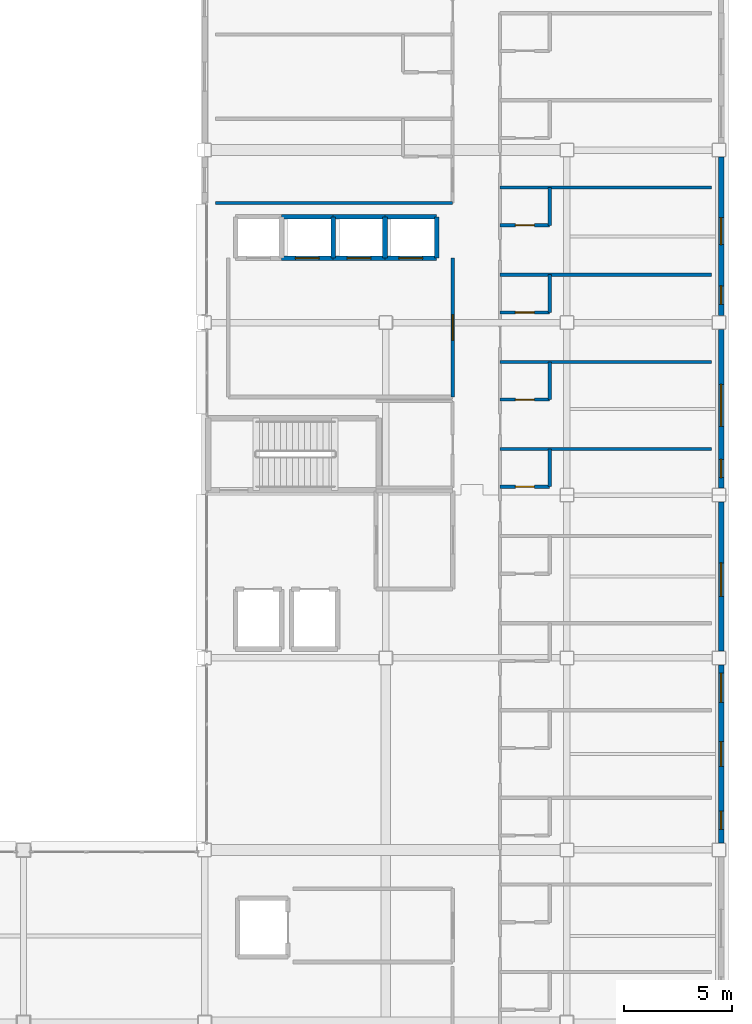
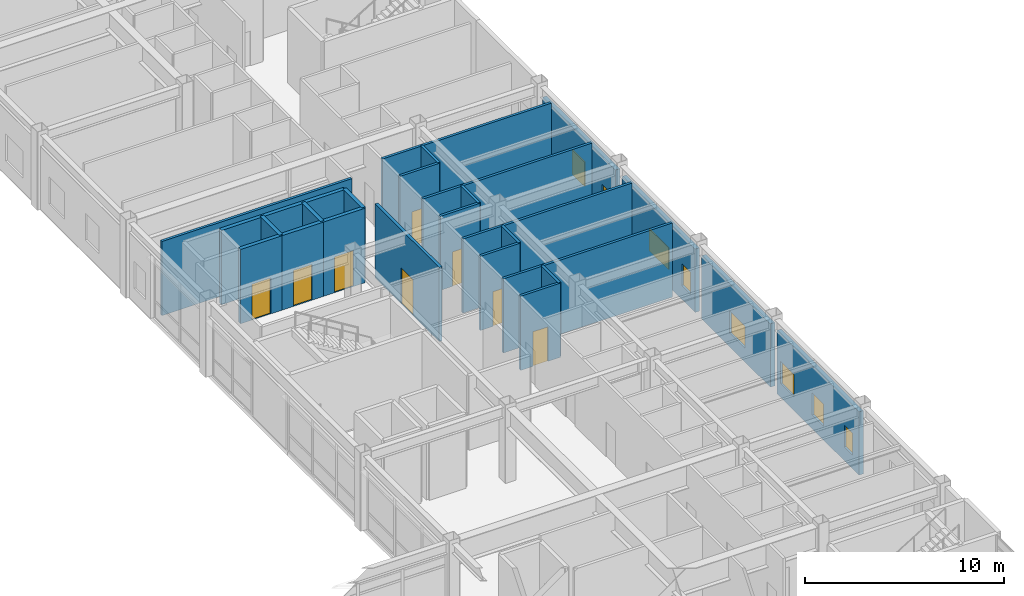
# One storey, part 78 of 93: 27 walls, 8 doors, 8 windows, 16 openings.
"""IFC4 building model written with IfcOpenShell, lengths in metres."""

from ifc_helpers import new_model, si_unit, direction, frame, frame_2d, origin, place, context, subcontext, project, spatial, rectangle, extrude, material, layer, layer_set, type_object, element, fill, save


model = new_model("IFC4")

# Units and contexts
model_context = context("Model", 3, precision=1e-05, world=origin(), true_north=direction((0.0, 1.0)))
body_context = subcontext(model_context, "Body", "Model", "MODEL_VIEW")
ifc_project = project(units=[si_unit("LENGTHUNIT", "METRE"), si_unit("AREAUNIT", "SQUARE_METRE"), si_unit("VOLUMEUNIT", "CUBIC_METRE"), si_unit("PLANEANGLEUNIT", "RADIAN"), si_unit("MASSUNIT", "GRAM", prefix="KILO")], contexts=[model_context])

# Site, building, storey
site_placement = place(None, origin())
site = spatial("IfcSite", under=ifc_project, at=site_placement, CompositionType="ELEMENT")
building_placement = place(site_placement, origin())
building = spatial("IfcBuilding", under=site, at=building_placement, Name="Kazehara Bluff Congress Hotel", CompositionType="ELEMENT")
storey_placement = place(building_placement, frame((0.0, 0.0, 15.0)))
storey = spatial("IfcBuildingStorey", under=building, at=storey_placement, Name="L03", CompositionType="ELEMENT", Elevation=15.0)

# Wall, openings, windows
ifc_material_1 = material(Name="Precast concrete C40/50", Category="concrete")
ifc_layer_1 = layer(ifc_material_1, 0.260009765625)
ifc_layer_set_1 = layer_set([ifc_layer_1], Name="Precast concrete C40/50")
wall_type_1 = type_object("IfcWallType", Name="TP-EW-260", PredefinedType="SOLIDWALL", material=ifc_layer_set_1)
wall_1_placement = place(storey_placement, frame((167.64990234375, 40.574951171875, 0.0), z_axis=(0.0, 0.0, 1.0), x_axis=(0.0, -1.0, 0.0)))
wall_1 = element("IfcWall", 1, at=wall_1_placement, inside=storey, type_object=wall_type_1, Name="L03 hotel facade panel 9", PredefinedType="SOLIDWALL", context=body_context, shape_type="SweptSolid", body=[
    extrude(rectangle(XDim=8.25, YDim=0.260009765625, at=frame_2d((4.125, 0.0))), origin(), (0.0, 0.0, 1.0), 3.885009765625),
])
opening_1_placement = place(wall_1_placement, frame((6.77490234375, 0.0, 0.85009765625)))
opening_1 = element("IfcOpeningElement", 2, at=opening_1_placement, cuts=wall_1, Name="Opening WN-55", PredefinedType="OPENING", context=body_context, shape_type="SweptSolid", body=[
    extrude(rectangle(XDim=0.85009765625, YDim=1.35009765625, at=frame_2d((0.425048828125, 0.675048828125))), frame((0.0, 0.139892578125, 0.0), z_axis=(0.0, -1.0, 0.0), x_axis=(1.0, 0.0, 0.0)), (0.0, 0.0, 1.0), 0.280029296875),
])
opening_2_placement = place(wall_1_placement, frame((3.554931640625, 0.0, 0.85009765625)))
opening_2 = element("IfcOpeningElement", 3, at=opening_2_placement, cuts=wall_1, Name="Opening WN-01", PredefinedType="OPENING", context=body_context, shape_type="SweptSolid", body=[
    extrude(rectangle(XDim=1.14990234375, YDim=1.35009765625, at=frame_2d((0.574951171875, 0.675048828125))), frame((0.0, 0.139892578125, 0.0), z_axis=(0.0, -1.0, 0.0), x_axis=(1.0, 0.0, 0.0)), (0.0, 0.0, 1.0), 0.280029296875),
])
opening_3_placement = place(wall_1_placement, frame((0.3798828125, 0.0, 0.85009765625)))
opening_3 = element("IfcOpeningElement", 4, at=opening_3_placement, cuts=wall_1, Name="Opening WN-11", PredefinedType="OPENING", context=body_context, shape_type="SweptSolid", body=[
    extrude(rectangle(XDim=1.35009765625, YDim=1.35009765625, at=frame_2d((0.675048828125, 0.675048828125))), frame((0.0, 0.139892578125, 0.0), z_axis=(0.0, -1.0, 0.0), x_axis=(1.0, 0.0, 0.0)), (0.0, 0.0, 1.0), 0.280029296875),
])
ifc_material_2 = material(Name="Insulated low-E double glazing", Category="glass")
window_type_1 = type_object("IfcWindowType", Name="TP-WN-01", PartitioningType="SINGLE_PANEL", PredefinedType="WINDOW", material=ifc_material_2)
window_1_placement = place(opening_2_placement, origin())
window_1 = element("IfcWindow", 5, at=window_1_placement, inside=storey, type_object=window_type_1, Name="L03 guestroom window WN-01 4", OverallHeight=1.35009765625, OverallWidth=1.14990234375, PartitioningType="SINGLE_PANEL", PredefinedType="WINDOW", context=body_context, shape_type="SweptSolid", body=[
    extrude(rectangle(XDim=1.14990234375, YDim=1.35009765625, at=frame_2d((0.574951171875, 0.675048828125))), frame((0.0, 0.030029296875, 0.0), z_axis=(0.0, -1.0, 0.0), x_axis=(1.0, 0.0, 0.0)), (0.0, 0.0, 1.0), 0.06005859375),
])
fill(opening_2, window_1)
ifc_material_3 = material(Name="Insulated low-E double glazing", Category="glass")
window_type_2 = type_object("IfcWindowType", Name="TP-WN-11", PartitioningType="SINGLE_PANEL", PredefinedType="WINDOW", material=ifc_material_3)
window_2_placement = place(opening_3_placement, origin())
window_2 = element("IfcWindow", 6, at=window_2_placement, inside=storey, type_object=window_type_2, Name="L03 guestroom window WN-11 5", OverallHeight=1.35009765625, OverallWidth=1.35009765625, PartitioningType="SINGLE_PANEL", PredefinedType="WINDOW", context=body_context, shape_type="SweptSolid", body=[
    extrude(rectangle(XDim=1.35009765625, YDim=1.35009765625, at=frame_2d((0.675048828125, 0.675048828125))), frame((0.0, 0.030029296875, 0.0), z_axis=(0.0, -1.0, 0.0), x_axis=(1.0, 0.0, 0.0)), (0.0, 0.0, 1.0), 0.06005859375),
])
fill(opening_3, window_2)
ifc_material_4 = material(Name="Insulated low-E double glazing", Category="glass")
window_type_3 = type_object("IfcWindowType", Name="TP-WN-55", PartitioningType="SINGLE_PANEL", PredefinedType="WINDOW", material=ifc_material_4)
window_3_placement = place(opening_1_placement, origin())
window_3 = element("IfcWindow", 7, at=window_3_placement, inside=storey, type_object=window_type_3, Name="L03 guestroom window WN-55 3", OverallHeight=1.35009765625, OverallWidth=0.85009765625, PartitioningType="SINGLE_PANEL", PredefinedType="WINDOW", context=body_context, shape_type="SweptSolid", body=[
    extrude(rectangle(XDim=0.85009765625, YDim=1.35009765625, at=frame_2d((0.425048828125, 0.675048828125))), frame((0.0, 0.030029296875, 0.0), z_axis=(0.0, -1.0, 0.0), x_axis=(1.0, 0.0, 0.0)), (0.0, 0.0, 1.0), 0.06005859375),
])
fill(opening_1, window_3)

# Wall, opening, window
wall_2_placement = place(storey_placement, frame((167.64990234375, 48.125, 0.0), z_axis=(0.0, 0.0, 1.0), x_axis=(0.0, -1.0, 0.0)))
wall_2 = element("IfcWall", 8, at=wall_2_placement, inside=storey, type_object=wall_type_1, Name="L03 hotel facade panel 10", PredefinedType="SOLIDWALL", context=body_context, shape_type="SweptSolid", body=[
    extrude(rectangle(XDim=6.89990234375, YDim=0.260009765625, at=frame_2d((3.449951171875, 0.0))), origin(), (0.0, 0.0, 1.0), 3.885009765625),
])
opening_4_placement = place(wall_2_placement, frame((2.820068359375, 0.0, 0.85009765625)))
opening_4 = element("IfcOpeningElement", 9, at=opening_4_placement, cuts=wall_2, Name="Opening WN-21", PredefinedType="OPENING", context=body_context, shape_type="SweptSolid", body=[
    extrude(rectangle(XDim=1.550048828125, YDim=1.35009765625, at=frame_2d((0.77490234375, 0.675048828125))), frame((0.0, 0.139892578125, 0.0), z_axis=(0.0, -1.0, 0.0), x_axis=(1.0, 0.0, 0.0)), (0.0, 0.0, 1.0), 0.280029296875),
])
ifc_material_5 = material(Name="Insulated low-E double glazing", Category="glass")
window_type_4 = type_object("IfcWindowType", Name="TP-WN-21", PartitioningType="SINGLE_PANEL", PredefinedType="WINDOW", material=ifc_material_5)
window_4_placement = place(opening_4_placement, origin())
window_4 = element("IfcWindow", 10, at=window_4_placement, inside=storey, type_object=window_type_4, Name="L03 guestroom window WN-21 6", OverallHeight=1.35009765625, OverallWidth=1.550048828125, PartitioningType="SINGLE_PANEL", PredefinedType="WINDOW", context=body_context, shape_type="SweptSolid", body=[
    extrude(rectangle(XDim=1.550048828125, YDim=1.35009765625, at=frame_2d((0.77490234375, 0.675048828125))), frame((0.0, 0.030029296875, 0.0), z_axis=(0.0, -1.0, 0.0), x_axis=(1.0, 0.0, 0.0)), (0.0, 0.0, 1.0), 0.06005859375),
])
fill(opening_4, window_4)

# Wall, openings, windows
wall_3_placement = place(storey_placement, frame((167.64990234375, 56.125, 0.0), z_axis=(0.0, 0.0, 1.0), x_axis=(0.0, -1.0, 0.0)))
wall_3 = element("IfcWall", 11, at=wall_3_placement, inside=storey, type_object=wall_type_1, Name="L03 hotel facade panel 11", PredefinedType="SOLIDWALL", context=body_context, shape_type="SweptSolid", body=[
    extrude(rectangle(XDim=7.35009765625, YDim=0.260009765625, at=frame_2d((3.675048828125, 0.0))), origin(), (0.0, 0.0, 1.0), 3.885009765625),
])
opening_5_placement = place(wall_3_placement, frame((6.014892578125, 0.0, 0.85009765625)))
opening_5 = element("IfcOpeningElement", 12, at=opening_5_placement, cuts=wall_3, Name="Opening WN-55", PredefinedType="OPENING", context=body_context, shape_type="SweptSolid", body=[
    extrude(rectangle(XDim=0.85009765625, YDim=1.35009765625, at=frame_2d((0.425048828125, 0.675048828125))), frame((0.0, 0.139892578125, 0.0), z_axis=(0.0, -1.0, 0.0), x_axis=(1.0, 0.0, 0.0)), (0.0, 0.0, 1.0), 0.280029296875),
])
opening_6_placement = place(wall_3_placement, frame((2.5400390625, 0.0, 0.85009765625)))
opening_6 = element("IfcOpeningElement", 13, at=opening_6_placement, cuts=wall_3, Name="Opening WN-41", PredefinedType="OPENING", context=body_context, shape_type="SweptSolid", body=[
    extrude(rectangle(XDim=1.949951171875, YDim=1.35009765625, at=frame_2d((0.97509765625, 0.675048828125))), frame((0.0, 0.139892578125, 0.0), z_axis=(0.0, -1.0, 0.0), x_axis=(1.0, 0.0, 0.0)), (0.0, 0.0, 1.0), 0.280029296875),
])
ifc_material_6 = material(Name="Insulated low-E double glazing", Category="glass")
window_type_5 = type_object("IfcWindowType", Name="TP-WN-41", PartitioningType="DOUBLE_PANEL_VERTICAL", PredefinedType="WINDOW", material=ifc_material_6)
window_5_placement = place(opening_6_placement, origin())
window_5 = element("IfcWindow", 14, at=window_5_placement, inside=storey, type_object=window_type_5, Name="L03 guestroom window WN-41 8", OverallHeight=1.35009765625, OverallWidth=1.949951171875, PartitioningType="SINGLE_PANEL", PredefinedType="WINDOW", context=body_context, shape_type="SweptSolid", body=[
    extrude(rectangle(XDim=1.949951171875, YDim=1.35009765625, at=frame_2d((0.97509765625, 0.675048828125))), frame((0.0, 0.030029296875, 0.0), z_axis=(0.0, -1.0, 0.0), x_axis=(1.0, 0.0, 0.0)), (0.0, 0.0, 1.0), 0.06005859375),
])
fill(opening_6, window_5)
window_6_placement = place(opening_5_placement, origin())
window_6 = element("IfcWindow", 15, at=window_6_placement, inside=storey, type_object=window_type_3, Name="L03 guestroom window WN-55 7", OverallHeight=1.35009765625, OverallWidth=0.85009765625, PartitioningType="SINGLE_PANEL", PredefinedType="WINDOW", context=body_context, shape_type="SweptSolid", body=[
    extrude(rectangle(XDim=0.85009765625, YDim=1.35009765625, at=frame_2d((0.425048828125, 0.675048828125))), frame((0.0, 0.030029296875, 0.0), z_axis=(0.0, -1.0, 0.0), x_axis=(1.0, 0.0, 0.0)), (0.0, 0.0, 1.0), 0.06005859375),
])
fill(opening_5, window_6)

wall_4_placement = place(storey_placement, frame((167.64990234375, 64.125, 0.0), z_axis=(0.0, 0.0, 1.0), x_axis=(0.0, -1.0, 0.0)))
wall_4 = element("IfcWall", 16, at=wall_4_placement, inside=storey, type_object=wall_type_1, Name="L03 hotel facade panel 12", PredefinedType="SOLIDWALL", context=body_context, shape_type="SweptSolid", body=[
    extrude(rectangle(XDim=7.35009765625, YDim=0.260009765625, at=frame_2d((3.675048828125, 0.0))), origin(), (0.0, 0.0, 1.0), 3.885009765625),
])
opening_7_placement = place(wall_4_placement, frame((5.97509765625, 0.0, 0.85009765625)))
opening_7 = element("IfcOpeningElement", 17, at=opening_7_placement, cuts=wall_4, Name="Opening WN-55", PredefinedType="OPENING", context=body_context, shape_type="SweptSolid", body=[
    extrude(rectangle(XDim=0.85009765625, YDim=1.35009765625, at=frame_2d((0.425048828125, 0.675048828125))), frame((0.0, 0.139892578125, 0.0), z_axis=(0.0, -1.0, 0.0), x_axis=(1.0, 0.0, 0.0)), (0.0, 0.0, 1.0), 0.280029296875),
])
opening_8_placement = place(wall_4_placement, frame((2.804931640625, 0.0, 0.85009765625)))
opening_8 = element("IfcOpeningElement", 18, at=opening_8_placement, cuts=wall_4, Name="Opening WN-07", PredefinedType="OPENING", context=body_context, shape_type="SweptSolid", body=[
    extrude(rectangle(XDim=1.25, YDim=1.5, at=frame_2d((0.625, 0.75))), frame((0.0, 0.139892578125, 0.0), z_axis=(0.0, -1.0, 0.0), x_axis=(1.0, 0.0, 0.0)), (0.0, 0.0, 1.0), 0.280029296875),
])
ifc_material_7 = material(Name="Insulated low-E double glazing", Category="glass")
window_type_6 = type_object("IfcWindowType", Name="TP-WN-07", PartitioningType="SINGLE_PANEL", PredefinedType="WINDOW", material=ifc_material_7)
window_7_placement = place(opening_8_placement, origin())
window_7 = element("IfcWindow", 19, at=window_7_placement, inside=storey, type_object=window_type_6, Name="L03 guestroom window WN-07 10", OverallHeight=1.5, OverallWidth=1.25, PartitioningType="SINGLE_PANEL", PredefinedType="WINDOW", context=body_context, shape_type="SweptSolid", body=[
    extrude(rectangle(XDim=1.25, YDim=1.5, at=frame_2d((0.625, 0.75))), frame((0.0, 0.030029296875, 0.0), z_axis=(0.0, -1.0, 0.0), x_axis=(1.0, 0.0, 0.0)), (0.0, 0.0, 1.0), 0.06005859375),
])
fill(opening_8, window_7)
window_8_placement = place(opening_7_placement, origin())
window_8 = element("IfcWindow", 20, at=window_8_placement, inside=storey, type_object=window_type_3, Name="L03 guestroom window WN-55 9", OverallHeight=1.35009765625, OverallWidth=0.85009765625, PartitioningType="SINGLE_PANEL", PredefinedType="WINDOW", context=body_context, shape_type="SweptSolid", body=[
    extrude(rectangle(XDim=0.85009765625, YDim=1.35009765625, at=frame_2d((0.425048828125, 0.675048828125))), frame((0.0, 0.030029296875, 0.0), z_axis=(0.0, -1.0, 0.0), x_axis=(1.0, 0.0, 0.0)), (0.0, 0.0, 1.0), 0.06005859375),
])
fill(opening_7, window_8)

# Wall, opening, door
ifc_material_8 = material(Name="Fire-rated gypsum board stud partition")
ifc_layer_2 = layer(ifc_material_8, 0.14990234375)
ifc_layer_set_2 = layer_set([ifc_layer_2], Name="Fire-rated gypsum board stud partition")
wall_type_2 = type_object("IfcWallType", Name="TP-PT-150", PredefinedType="PARTITIONING", material=ifc_layer_set_2)
wall_5_placement = place(storey_placement, frame((157.39990234375, 48.840087890625, 0.0), z_axis=(0.0, 0.0, 1.0), x_axis=(1.0, 0.0, 0.0)))
wall_5 = element("IfcWall", 21, at=wall_5_placement, inside=storey, type_object=wall_type_2, Name="L03 partition PT-150 268", PredefinedType="PARTITIONING", context=body_context, shape_type="SweptSolid", body=[
    extrude(rectangle(XDim=2.300048828125, YDim=0.14990234375, at=frame_2d((1.14990234375, 0.0))), origin(), (0.0, 0.0, 1.0), 4.544921875),
])
opening_9_placement = place(wall_5_placement, frame((0.7099609375, 0.0, 0.0)))
opening_9 = element("IfcOpeningElement", 22, at=opening_9_placement, cuts=wall_5, Name="Opening BD-02", PredefinedType="OPENING", context=body_context, shape_type="SweptSolid", body=[
    extrude(rectangle(XDim=0.8798828125, YDim=2.1201171875, at=frame_2d((0.43994140625, 1.06005859375))), frame((0.0, 0.0849609375, 0.0), z_axis=(0.0, -1.0, 0.0), x_axis=(1.0, 0.0, 0.0)), (0.0, 0.0, 1.0), 0.169921875),
])
ifc_material_9 = material(Name="Architectural oak veneer leaf")
door_type_1 = type_object("IfcDoorType", Name="TP-BD-02", OperationType="NOTDEFINED", PredefinedType="DOOR", material=ifc_material_9)
door_1_placement = place(opening_9_placement, origin())
door_1 = element("IfcDoor", 23, at=door_1_placement, inside=storey, type_object=door_type_1, Name="L03 En-suite Bathroom 20 door", OperationType="SINGLE_SWING_LEFT", OverallHeight=2.1201171875, OverallWidth=0.8798828125, PredefinedType="DOOR", context=body_context, shape_type="SweptSolid", body=[
    extrude(rectangle(XDim=0.8798828125, YDim=2.1201171875, at=frame_2d((0.43994140625, 1.06005859375))), frame((0.0, 0.02490234375, 0.0), z_axis=(0.0, -1.0, 0.0), x_axis=(1.0, 0.0, 0.0)), (0.0, 0.0, 1.0), 0.050048828125),
])
fill(opening_9, door_1)

# Wall
wall_6_placement = place(storey_placement, frame((157.39990234375, 50.590087890625, 0.0), z_axis=(0.0, 0.0, 1.0), x_axis=(1.0, 0.0, 0.0)))
element("IfcWall", 24, at=wall_6_placement, inside=storey, type_object=wall_type_2, Name="L03 partition PT-150 269", PredefinedType="PARTITIONING", context=body_context, shape_type="SweptSolid", body=[
    extrude(rectangle(XDim=9.800048828125, YDim=0.14990234375, at=frame_2d((4.89990234375, 0.0))), origin(), (0.0, 0.0, 1.0), 4.544921875),
])

# Wall, opening, door
wall_7_placement = place(storey_placement, frame((157.39990234375, 52.8798828125, 0.0), z_axis=(0.0, 0.0, 1.0), x_axis=(1.0, 0.0, 0.0)))
wall_7 = element("IfcWall", 25, at=wall_7_placement, inside=storey, type_object=wall_type_2, Name="L03 partition PT-150 271", PredefinedType="PARTITIONING", context=body_context, shape_type="SweptSolid", body=[
    extrude(rectangle(XDim=2.300048828125, YDim=0.14990234375, at=frame_2d((1.14990234375, 0.0))), origin(), (0.0, 0.0, 1.0), 4.544921875),
])
opening_10_placement = place(wall_7_placement, frame((0.7099609375, 0.0, 0.0)))
opening_10 = element("IfcOpeningElement", 26, at=opening_10_placement, cuts=wall_7, Name="Opening BD-02", PredefinedType="OPENING", context=body_context, shape_type="SweptSolid", body=[
    extrude(rectangle(XDim=0.8798828125, YDim=2.1201171875, at=frame_2d((0.43994140625, 1.06005859375))), frame((0.0, 0.0849609375, 0.0), z_axis=(0.0, -1.0, 0.0), x_axis=(1.0, 0.0, 0.0)), (0.0, 0.0, 1.0), 0.169921875),
])
door_2_placement = place(opening_10_placement, origin())
door_2 = element("IfcDoor", 27, at=door_2_placement, inside=storey, type_object=door_type_1, Name="L03 En-suite Bathroom 21 door", OperationType="SINGLE_SWING_LEFT", OverallHeight=2.1201171875, OverallWidth=0.8798828125, PredefinedType="DOOR", context=body_context, shape_type="SweptSolid", body=[
    extrude(rectangle(XDim=0.8798828125, YDim=2.1201171875, at=frame_2d((0.43994140625, 1.06005859375))), frame((0.0, 0.02490234375, 0.0), z_axis=(0.0, -1.0, 0.0), x_axis=(1.0, 0.0, 0.0)), (0.0, 0.0, 1.0), 0.050048828125),
])
fill(opening_10, door_2)

# Wall
wall_8_placement = place(storey_placement, frame((157.39990234375, 54.6298828125, 0.0), z_axis=(0.0, 0.0, 1.0), x_axis=(1.0, 0.0, 0.0)))
element("IfcWall", 28, at=wall_8_placement, inside=storey, type_object=wall_type_2, Name="L03 partition PT-150 274", PredefinedType="PARTITIONING", context=body_context, shape_type="SweptSolid", body=[
    extrude(rectangle(XDim=9.800048828125, YDim=0.14990234375, at=frame_2d((4.89990234375, 0.0))), origin(), (0.0, 0.0, 1.0), 4.544921875),
])

# Wall, opening, door
wall_9_placement = place(storey_placement, frame((157.39990234375, 56.919921875, 0.0), z_axis=(0.0, 0.0, 1.0), x_axis=(1.0, 0.0, 0.0)))
wall_9 = element("IfcWall", 29, at=wall_9_placement, inside=storey, type_object=wall_type_2, Name="L03 partition PT-150 275", PredefinedType="PARTITIONING", context=body_context, shape_type="SweptSolid", body=[
    extrude(rectangle(XDim=2.300048828125, YDim=0.14990234375, at=frame_2d((1.14990234375, 0.0))), origin(), (0.0, 0.0, 1.0), 4.544921875),
])
opening_11_placement = place(wall_9_placement, frame((0.7099609375, 0.0, 0.0)))
opening_11 = element("IfcOpeningElement", 30, at=opening_11_placement, cuts=wall_9, Name="Opening BD-02", PredefinedType="OPENING", context=body_context, shape_type="SweptSolid", body=[
    extrude(rectangle(XDim=0.8798828125, YDim=2.1201171875, at=frame_2d((0.43994140625, 1.06005859375))), frame((0.0, 0.0849609375, 0.0), z_axis=(0.0, -1.0, 0.0), x_axis=(1.0, 0.0, 0.0)), (0.0, 0.0, 1.0), 0.169921875),
])
door_3_placement = place(opening_11_placement, origin())
door_3 = element("IfcDoor", 31, at=door_3_placement, inside=storey, type_object=door_type_1, Name="L03 En-suite Bathroom 22 door", OperationType="SINGLE_SWING_LEFT", OverallHeight=2.1201171875, OverallWidth=0.8798828125, PredefinedType="DOOR", context=body_context, shape_type="SweptSolid", body=[
    extrude(rectangle(XDim=0.8798828125, YDim=2.1201171875, at=frame_2d((0.43994140625, 1.06005859375))), frame((0.0, 0.02490234375, 0.0), z_axis=(0.0, -1.0, 0.0), x_axis=(1.0, 0.0, 0.0)), (0.0, 0.0, 1.0), 0.050048828125),
])
fill(opening_11, door_3)

# Wall
wall_10_placement = place(storey_placement, frame((157.39990234375, 58.669921875, 0.0), z_axis=(0.0, 0.0, 1.0), x_axis=(1.0, 0.0, 0.0)))
element("IfcWall", 32, at=wall_10_placement, inside=storey, type_object=wall_type_2, Name="L03 partition PT-150 276", PredefinedType="PARTITIONING", context=body_context, shape_type="SweptSolid", body=[
    extrude(rectangle(XDim=9.800048828125, YDim=0.14990234375, at=frame_2d((4.89990234375, 0.0))), origin(), (0.0, 0.0, 1.0), 4.544921875),
])

# Wall, opening, door
wall_11_placement = place(storey_placement, frame((157.39990234375, 60.969970703125, 0.0), z_axis=(0.0, 0.0, 1.0), x_axis=(1.0, 0.0, 0.0)))
wall_11 = element("IfcWall", 33, at=wall_11_placement, inside=storey, type_object=wall_type_2, Name="L03 partition PT-150 277", PredefinedType="PARTITIONING", context=body_context, shape_type="SweptSolid", body=[
    extrude(rectangle(XDim=2.300048828125, YDim=0.14990234375, at=frame_2d((1.14990234375, 0.0))), origin(), (0.0, 0.0, 1.0), 4.544921875),
])
opening_12_placement = place(wall_11_placement, frame((0.7099609375, 0.0, 0.0)))
opening_12 = element("IfcOpeningElement", 34, at=opening_12_placement, cuts=wall_11, Name="Opening BD-02", PredefinedType="OPENING", context=body_context, shape_type="SweptSolid", body=[
    extrude(rectangle(XDim=0.8798828125, YDim=2.1201171875, at=frame_2d((0.43994140625, 1.06005859375))), frame((0.0, 0.0849609375, 0.0), z_axis=(0.0, -1.0, 0.0), x_axis=(1.0, 0.0, 0.0)), (0.0, 0.0, 1.0), 0.169921875),
])
door_4_placement = place(opening_12_placement, origin())
door_4 = element("IfcDoor", 35, at=door_4_placement, inside=storey, type_object=door_type_1, Name="L03 En-suite Bathroom 23 door", OperationType="SINGLE_SWING_LEFT", OverallHeight=2.1201171875, OverallWidth=0.8798828125, PredefinedType="DOOR", context=body_context, shape_type="SweptSolid", body=[
    extrude(rectangle(XDim=0.8798828125, YDim=2.1201171875, at=frame_2d((0.43994140625, 1.06005859375))), frame((0.0, 0.02490234375, 0.0), z_axis=(0.0, -1.0, 0.0), x_axis=(1.0, 0.0, 0.0)), (0.0, 0.0, 1.0), 0.050048828125),
])
fill(opening_12, door_4)

# Walls
wall_12_placement = place(storey_placement, frame((144.199951171875, 62.0, 0.0), z_axis=(0.0, 0.0, 1.0), x_axis=(1.0, 0.0, 0.0)))
element("IfcWall", 36, at=wall_12_placement, inside=storey, type_object=wall_type_2, Name="L03 partition PT-150 278", PredefinedType="PARTITIONING", context=body_context, shape_type="SweptSolid", body=[
    extrude(rectangle(XDim=11.0, YDim=0.14990234375, at=frame_2d((5.5, 0.0))), origin(), (0.0, 0.0, 1.0), 4.544921875),
])
wall_13_placement = place(storey_placement, frame((157.39990234375, 62.719970703125, 0.0), z_axis=(0.0, 0.0, 1.0), x_axis=(1.0, 0.0, 0.0)))
element("IfcWall", 37, at=wall_13_placement, inside=storey, type_object=wall_type_2, Name="L03 partition PT-150 279", PredefinedType="PARTITIONING", context=body_context, shape_type="SweptSolid", body=[
    extrude(rectangle(XDim=9.800048828125, YDim=0.14990234375, at=frame_2d((4.89990234375, 0.0))), origin(), (0.0, 0.0, 1.0), 4.544921875),
])
for number, where, z_axis, x_axis, name in (
    (38, (159.699951171875, 48.840087890625, 0.0), (0.0, 0.0, 1.0), (0.0, 1.0, 0.0), "L03 partition PT-150 357"),
    (39, (159.699951171875, 52.885009765625, 0.0), (0.0, 0.0, 1.0), (0.0, 1.0, 0.0), "L03 partition PT-150 358"),
    (40, (159.699951171875, 56.925048828125, 0.0), (0.0, 0.0, 1.0), (0.0, 1.0, 0.0), "L03 partition PT-150 359"),
    (41, (159.699951171875, 60.965087890625, 0.0), (0.0, 0.0, 1.0), (0.0, 1.0, 0.0), "L03 partition PT-150 360"),
):
    element("IfcWall", number, at=place(storey_placement, frame(where, z_axis=z_axis, x_axis=x_axis)), inside=storey, type_object=wall_type_2, Name=name, PredefinedType="PARTITIONING", context=body_context, shape_type="SweptSolid", body=[
        extrude(rectangle(XDim=1.75, YDim=0.14990234375, at=frame_2d((0.875, 0.0))), origin(), (0.0, 0.0, 1.0), 4.544921875),
    ])

# Wall, opening, door
ifc_material_10 = material(Name="Fire-rated gypsum board stud partition")
ifc_layer_3 = layer(ifc_material_10, 0.169921875)
ifc_layer_set_3 = layer_set([ifc_layer_3], Name="Fire-rated gypsum board stud partition")
wall_type_3 = type_object("IfcWallType", Name="TP-PT-180", PredefinedType="PARTITIONING", material=ifc_layer_set_3)
wall_14_placement = place(storey_placement, frame((155.199951171875, 53.0, 0.0), z_axis=(0.0, 0.0, 1.0), x_axis=(0.0, 1.0, 0.0)))
wall_14 = element("IfcWall", 42, at=wall_14_placement, inside=storey, type_object=wall_type_3, Name="L03 partition PT-180 347", PredefinedType="PARTITIONING", context=body_context, shape_type="SweptSolid", body=[
    extrude(rectangle(XDim=6.449951171875, YDim=0.169921875, at=frame_2d((3.22509765625, 0.0))), origin(), (0.0, 0.0, 1.0), 4.544921875),
])
opening_13_placement = place(wall_14_placement, frame((2.625, 0.0, 0.0)))
opening_13 = element("IfcOpeningElement", 43, at=opening_13_placement, cuts=wall_14, Name="Opening FD-02", PredefinedType="OPENING", context=body_context, shape_type="SweptSolid", body=[
    extrude(rectangle(XDim=1.199951171875, YDim=2.199951171875, at=frame_2d((0.60009765625, 1.10009765625))), frame((0.0, 0.094970703125, 0.0), z_axis=(0.0, -1.0, 0.0), x_axis=(1.0, 0.0, 0.0)), (0.0, 0.0, 1.0), 0.18994140625),
])
ifc_material_11 = material(Name="Fire-rated painted steel leaf", Category="steel")
door_type_2 = type_object("IfcDoorType", Name="TP-FD-02", OperationType="NOTDEFINED", PredefinedType="DOOR", material=ifc_material_11)
door_5_placement = place(opening_13_placement, origin())
door_5 = element("IfcDoor", 44, at=door_5_placement, inside=storey, type_object=door_type_2, Name="L03 Hotel Passenger Lift Lobby door", OperationType="SINGLE_SWING_RIGHT", OverallHeight=2.199951171875, OverallWidth=1.199951171875, PredefinedType="DOOR", context=body_context, shape_type="SweptSolid", body=[
    extrude(rectangle(XDim=1.199951171875, YDim=2.199951171875, at=frame_2d((0.60009765625, 1.10009765625))), frame((0.0, 0.02490234375, 0.0), z_axis=(0.0, -1.0, 0.0), x_axis=(1.0, 0.0, 0.0)), (0.0, 0.0, 1.0), 0.050048828125),
])
fill(opening_13, door_5)

# Wall
ifc_material_12 = material(Name="Concrete C40/50", Category="concrete")
ifc_layer_4 = layer(ifc_material_12, 0.219970703125)
ifc_layer_set_4 = layer_set([ifc_layer_4], Name="Concrete C40/50")
wall_type_4 = type_object("IfcWallType", Name="TP-SW-RC", PredefinedType="SHEAR", material=ifc_layer_set_4)
wall_15_placement = place(storey_placement, frame((147.260009765625, 61.360107421875, 0.0), z_axis=(0.0, 0.0, 1.0), x_axis=(1.0, 0.0, 0.0)))
element("IfcWall", 45, at=wall_15_placement, inside=storey, type_object=wall_type_4, Name="L03 EL-P2 lift shaft wall +Y", PredefinedType="SHEAR", context=body_context, shape_type="SweptSolid", body=[
    extrude(rectangle(XDim=2.39990234375, YDim=0.219970703125, at=frame_2d((1.199951171875, 0.0))), origin(), (0.0, 0.0, 1.0), 4.56005859375),
])

# Wall, opening, door
wall_16_placement = place(storey_placement, frame((147.260009765625, 59.43994140625, 0.0), z_axis=(0.0, 0.0, 1.0), x_axis=(1.0, 0.0, 0.0)))
wall_16 = element("IfcWall", 46, at=wall_16_placement, inside=storey, type_object=wall_type_4, Name="L03 EL-P2 lift shaft wall -Y", PredefinedType="SHEAR", context=body_context, shape_type="SweptSolid", body=[
    extrude(rectangle(XDim=2.39990234375, YDim=0.219970703125, at=frame_2d((1.199951171875, 0.0))), origin(), (0.0, 0.0, 1.0), 4.56005859375),
])
opening_14_placement = place(wall_16_placement, frame((0.64990234375, 0.0, 0.0)))
opening_14 = element("IfcOpeningElement", 47, at=opening_14_placement, cuts=wall_16, Name="Opening LD-01", PredefinedType="OPENING", context=body_context, shape_type="SweptSolid", body=[
    extrude(rectangle(XDim=1.10009765625, YDim=2.199951171875, at=frame_2d((0.550048828125, 1.10009765625))), frame((0.0, 0.119873046875, 0.0), z_axis=(0.0, -1.0, 0.0), x_axis=(1.0, 0.0, 0.0)), (0.0, 0.0, 1.0), 0.239990234375),
])
ifc_material_13 = material(Name="Fire-rated painted steel leaf", Category="steel")
door_type_3 = type_object("IfcDoorType", Name="TP-LD-01", OperationType="SLIDING_TO_LEFT", PredefinedType="DOOR", material=ifc_material_13)
door_6_placement = place(opening_14_placement, origin())
door_6 = element("IfcDoor", 48, at=door_6_placement, inside=storey, type_object=door_type_3, Name="L03 EL-P2 elevator landing door", OperationType="SLIDING_TO_LEFT", OverallHeight=2.199951171875, OverallWidth=1.10009765625, PredefinedType="DOOR", context=body_context, shape_type="SweptSolid", body=[
    extrude(rectangle(XDim=1.10009765625, YDim=2.199951171875, at=frame_2d((0.550048828125, 1.10009765625))), frame((0.0, 0.02490234375, 0.0), z_axis=(0.0, -1.0, 0.0), x_axis=(1.0, 0.0, 0.0)), (0.0, 0.0, 1.0), 0.050048828125),
])
fill(opening_14, door_6)

# Walls
wall_17_placement = place(storey_placement, frame((149.659912109375, 59.43994140625, 0.0), z_axis=(0.0, 0.0, 1.0), x_axis=(0.0, 1.0, 0.0)))
element("IfcWall", 49, at=wall_17_placement, inside=storey, type_object=wall_type_4, Name="L03 EL-P2 lift shaft wall +X", PredefinedType="SHEAR", context=body_context, shape_type="SweptSolid", body=[
    extrude(rectangle(XDim=1.920166015625, YDim=0.219970703125, at=frame_2d((0.9599609375, 0.0))), origin(), (0.0, 0.0, 1.0), 4.56005859375),
])
wall_18_placement = place(storey_placement, frame((149.659912109375, 61.360107421875, 0.0), z_axis=(0.0, 0.0, 1.0), x_axis=(1.0, 0.0, 0.0)))
element("IfcWall", 50, at=wall_18_placement, inside=storey, type_object=wall_type_4, Name="L03 EL-P3 lift shaft wall +Y", PredefinedType="SHEAR", context=body_context, shape_type="SweptSolid", body=[
    extrude(rectangle(XDim=2.400146484375, YDim=0.219970703125, at=frame_2d((1.2001953125, 0.0))), origin(), (0.0, 0.0, 1.0), 4.56005859375),
])

# Wall, opening, door
wall_19_placement = place(storey_placement, frame((149.659912109375, 59.43994140625, 0.0), z_axis=(0.0, 0.0, 1.0), x_axis=(1.0, 0.0, 0.0)))
wall_19 = element("IfcWall", 51, at=wall_19_placement, inside=storey, type_object=wall_type_4, Name="L03 EL-P3 lift shaft wall -Y", PredefinedType="SHEAR", context=body_context, shape_type="SweptSolid", body=[
    extrude(rectangle(XDim=2.400146484375, YDim=0.219970703125, at=frame_2d((1.2001953125, 0.0))), origin(), (0.0, 0.0, 1.0), 4.56005859375),
])
opening_15_placement = place(wall_19_placement, frame((0.64990234375, 0.0, 0.0)))
opening_15 = element("IfcOpeningElement", 52, at=opening_15_placement, cuts=wall_19, Name="Opening LD-01", PredefinedType="OPENING", context=body_context, shape_type="SweptSolid", body=[
    extrude(rectangle(XDim=1.10009765625, YDim=2.199951171875, at=frame_2d((0.550048828125, 1.10009765625))), frame((0.0, 0.119873046875, 0.0), z_axis=(0.0, -1.0, 0.0), x_axis=(1.0, 0.0, 0.0)), (0.0, 0.0, 1.0), 0.239990234375),
])
door_7_placement = place(opening_15_placement, origin())
door_7 = element("IfcDoor", 53, at=door_7_placement, inside=storey, type_object=door_type_3, Name="L03 EL-P3 elevator landing door", OperationType="SLIDING_TO_LEFT", OverallHeight=2.199951171875, OverallWidth=1.10009765625, PredefinedType="DOOR", context=body_context, shape_type="SweptSolid", body=[
    extrude(rectangle(XDim=1.10009765625, YDim=2.199951171875, at=frame_2d((0.550048828125, 1.10009765625))), frame((0.0, 0.02490234375, 0.0), z_axis=(0.0, -1.0, 0.0), x_axis=(1.0, 0.0, 0.0)), (0.0, 0.0, 1.0), 0.050048828125),
])
fill(opening_15, door_7)

# Walls
wall_20_placement = place(storey_placement, frame((152.06005859375, 59.43994140625, 0.0), z_axis=(0.0, 0.0, 1.0), x_axis=(0.0, 1.0, 0.0)))
element("IfcWall", 54, at=wall_20_placement, inside=storey, type_object=wall_type_4, Name="L03 EL-P3 lift shaft wall +X", PredefinedType="SHEAR", context=body_context, shape_type="SweptSolid", body=[
    extrude(rectangle(XDim=1.920166015625, YDim=0.219970703125, at=frame_2d((0.9599609375, 0.0))), origin(), (0.0, 0.0, 1.0), 4.56005859375),
])
wall_21_placement = place(storey_placement, frame((152.06005859375, 61.360107421875, 0.0), z_axis=(0.0, 0.0, 1.0), x_axis=(1.0, 0.0, 0.0)))
element("IfcWall", 55, at=wall_21_placement, inside=storey, type_object=wall_type_4, Name="L03 EL-P4 lift shaft wall +Y", PredefinedType="SHEAR", context=body_context, shape_type="SweptSolid", body=[
    extrude(rectangle(XDim=2.39990234375, YDim=0.219970703125, at=frame_2d((1.199951171875, 0.0))), origin(), (0.0, 0.0, 1.0), 4.56005859375),
])

# Wall, opening, door
wall_22_placement = place(storey_placement, frame((152.06005859375, 59.43994140625, 0.0), z_axis=(0.0, 0.0, 1.0), x_axis=(1.0, 0.0, 0.0)))
wall_22 = element("IfcWall", 56, at=wall_22_placement, inside=storey, type_object=wall_type_4, Name="L03 EL-P4 lift shaft wall -Y", PredefinedType="SHEAR", context=body_context, shape_type="SweptSolid", body=[
    extrude(rectangle(XDim=2.39990234375, YDim=0.219970703125, at=frame_2d((1.199951171875, 0.0))), origin(), (0.0, 0.0, 1.0), 4.56005859375),
])
opening_16_placement = place(wall_22_placement, frame((0.64990234375, 0.0, 0.0)))
opening_16 = element("IfcOpeningElement", 57, at=opening_16_placement, cuts=wall_22, Name="Opening LD-01", PredefinedType="OPENING", context=body_context, shape_type="SweptSolid", body=[
    extrude(rectangle(XDim=1.10009765625, YDim=2.199951171875, at=frame_2d((0.550048828125, 1.10009765625))), frame((0.0, 0.119873046875, 0.0), z_axis=(0.0, -1.0, 0.0), x_axis=(1.0, 0.0, 0.0)), (0.0, 0.0, 1.0), 0.239990234375),
])
door_8_placement = place(opening_16_placement, origin())
door_8 = element("IfcDoor", 58, at=door_8_placement, inside=storey, type_object=door_type_3, Name="L03 EL-P4 elevator landing door", OperationType="SLIDING_TO_LEFT", OverallHeight=2.199951171875, OverallWidth=1.10009765625, PredefinedType="DOOR", context=body_context, shape_type="SweptSolid", body=[
    extrude(rectangle(XDim=1.10009765625, YDim=2.199951171875, at=frame_2d((0.550048828125, 1.10009765625))), frame((0.0, 0.02490234375, 0.0), z_axis=(0.0, -1.0, 0.0), x_axis=(1.0, 0.0, 0.0)), (0.0, 0.0, 1.0), 0.050048828125),
])
fill(opening_16, door_8)

# Wall
wall_23_placement = place(storey_placement, frame((154.4599609375, 59.43994140625, 0.0), z_axis=(0.0, 0.0, 1.0), x_axis=(0.0, 1.0, 0.0)))
element("IfcWall", 59, at=wall_23_placement, inside=storey, type_object=wall_type_4, Name="L03 EL-P4 lift shaft wall +X", PredefinedType="SHEAR", context=body_context, shape_type="SweptSolid", body=[
    extrude(rectangle(XDim=1.920166015625, YDim=0.219970703125, at=frame_2d((0.9599609375, 0.0))), origin(), (0.0, 0.0, 1.0), 4.56005859375),
])

save(model, "model.ifc")
